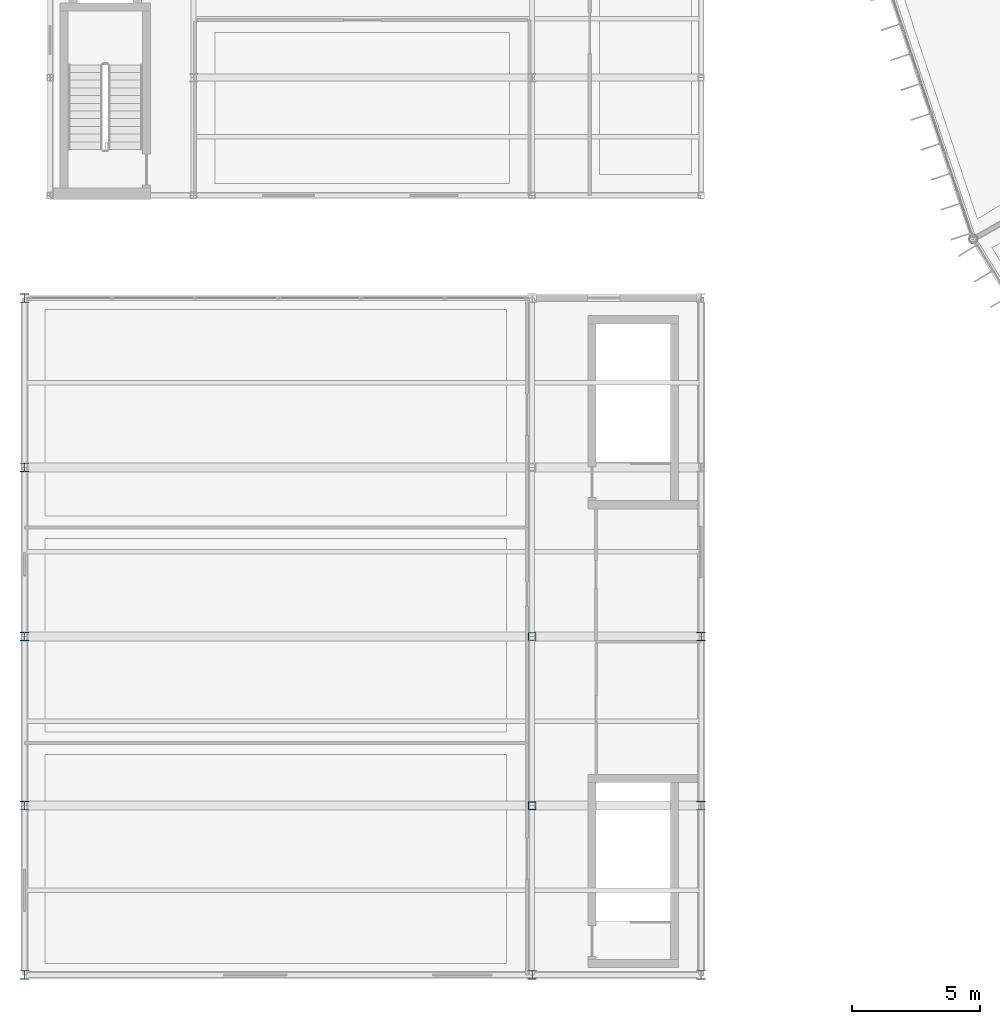
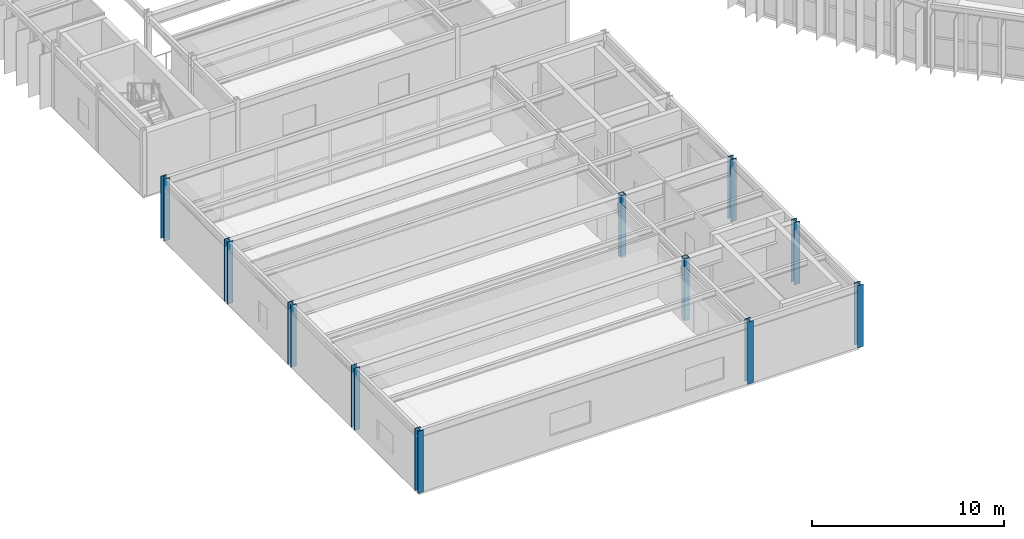
# One storey, part 1 of 147: 11 columns.
"""IFC4 building model written with IfcOpenShell, lengths in metres."""

from ifc_helpers import new_model, si_unit, direction, frame, origin, origin_2d, place, context, subcontext, project, spatial, hollow_rectangle, i_section, extrude, material, material_profile, profile_set, type_object, element, save


model = new_model("IFC4")

# Units and contexts
model_context = context("Model", 3, precision=1e-05, world=origin(), true_north=direction((0.0, 1.0)))
body_context = subcontext(model_context, "Body", "Model", "MODEL_VIEW")
ifc_project = project(units=[si_unit("LENGTHUNIT", "METRE"), si_unit("AREAUNIT", "SQUARE_METRE"), si_unit("VOLUMEUNIT", "CUBIC_METRE"), si_unit("PLANEANGLEUNIT", "RADIAN"), si_unit("MASSUNIT", "GRAM", prefix="KILO")], contexts=[model_context])

# Site, building, storey
site_placement = place(None, origin())
site = spatial("IfcSite", under=ifc_project, at=site_placement, CompositionType="ELEMENT")
building_placement = place(site_placement, origin())
building = spatial("IfcBuilding", under=site, at=building_placement, Name="Karori Crest Natural Sciences Institute", CompositionType="ELEMENT")
storey_placement = place(building_placement, frame((0.0, 0.0, 9.10009765625)))
storey = spatial("IfcBuildingStorey", under=building, at=storey_placement, Name="L02", CompositionType="ELEMENT", Elevation=9.10009765625)

# Columns
ifc_material_1 = material(Name="Structural steel AS/NZS 3679.1 Grade 350", Category="steel")
ifc_material_profile_1 = material_profile(ifc_material_1, i_section(OverallWidth=0.35009765625, OverallDepth=0.35009765625, WebThickness=0.02001953125, FlangeThickness=0.031982421875, FilletRadius=0.01611328125, at=origin_2d()), Name="350WC280")
ifc_profile_set_1 = profile_set([ifc_material_profile_1], Name="Structural steel AS/NZS 3679.1 Grade 350")
column_type_1 = type_object("IfcColumnType", Name="CT-03-EL", PredefinedType="COLUMN", material=ifc_profile_set_1)
for number, where, z_axis, x_axis, name in (
    (1, (0.800048828125, 0.800048828125, 0.0), (0.0, 0.0, 1.0), (1.0, 0.0, 0.0), "Column C-0472"),
    (2, (0.800048828125, 7.39990234375, 0.0), (0.0, 0.0, 1.0), (1.0, 0.0, 0.0), "Column C-0476"),
    (3, (0.800048828125, 14.0, 0.0), (0.0, 0.0, 1.0), (1.0, 0.0, 0.0), "Column C-0480"),
    (4, (0.800048828125, 20.60009765625, 0.0), (0.0, 0.0, 1.0), (1.0, 0.0, 0.0), "Column C-0484"),
    (5, (0.800048828125, 27.199951171875, 0.0), (0.0, 0.0, 1.0), (1.0, 0.0, 0.0), "Column C-0488"),
    (6, (20.60009765625, 0.800048828125, 0.0), (0.0, 0.0, 1.0), (1.0, 0.0, 0.0), "Column C-0492"),
    (7, (27.199951171875, 0.800048828125, 0.0), (0.0, 0.0, 1.0), (1.0, 0.0, 0.0), "Column C-0512"),
    (8, (27.199951171875, 7.39990234375, 0.0), (0.0, 0.0, 1.0), (1.0, 0.0, 0.0), "Column C-0516"),
    (9, (27.199951171875, 14.0, 0.0), (0.0, 0.0, 1.0), (1.0, 0.0, 0.0), "Column C-0520"),
):
    element("IfcColumn", number, at=place(storey_placement, frame(where, z_axis=z_axis, x_axis=x_axis)), inside=storey, type_object=column_type_1, Name=name, PredefinedType="COLUMN", context=body_context, shape_type="SweptSolid", body=[
        extrude(i_section(OverallWidth=0.35009765625, OverallDepth=0.35009765625, WebThickness=0.02001953125, FlangeThickness=0.031982421875, FilletRadius=0.01611328125, at=origin_2d()), origin(), (0.0, 0.0, 1.0), 3.949951171875),
    ])
ifc_material_2 = material(Name="Hollow structural steel AS/NZS 1163 Grade C350", Category="steel")
ifc_material_profile_2 = material_profile(ifc_material_2, hollow_rectangle(XDim=0.300048828125, YDim=0.300048828125, WallThickness=0.012451171875, at=origin_2d()), Name="SHS300x300x12.5")
ifc_profile_set_2 = profile_set([ifc_material_profile_2], Name="Hollow structural steel AS/NZS 1163 Grade C350")
column_type_2 = type_object("IfcColumnType", Name="CT-11", PredefinedType="COLUMN", material=ifc_profile_set_2)
for number, where, z_axis, x_axis, name in (
    (10, (20.60009765625, 7.39990234375, 0.0), (0.0, 0.0, 1.0), (1.0, 0.0, 0.0), "Column C-0496"),
    (11, (20.60009765625, 14.0, 0.0), (0.0, 0.0, 1.0), (1.0, 0.0, 0.0), "Column C-0500"),
):
    element("IfcColumn", number, at=place(storey_placement, frame(where, z_axis=z_axis, x_axis=x_axis)), inside=storey, type_object=column_type_2, Name=name, PredefinedType="COLUMN", context=body_context, shape_type="SweptSolid", body=[
        extrude(hollow_rectangle(XDim=0.300048828125, YDim=0.300048828125, WallThickness=0.012451171875, at=origin_2d()), origin(), (0.0, 0.0, 1.0), 3.949951171875),
    ])

save(model, "model.ifc")
